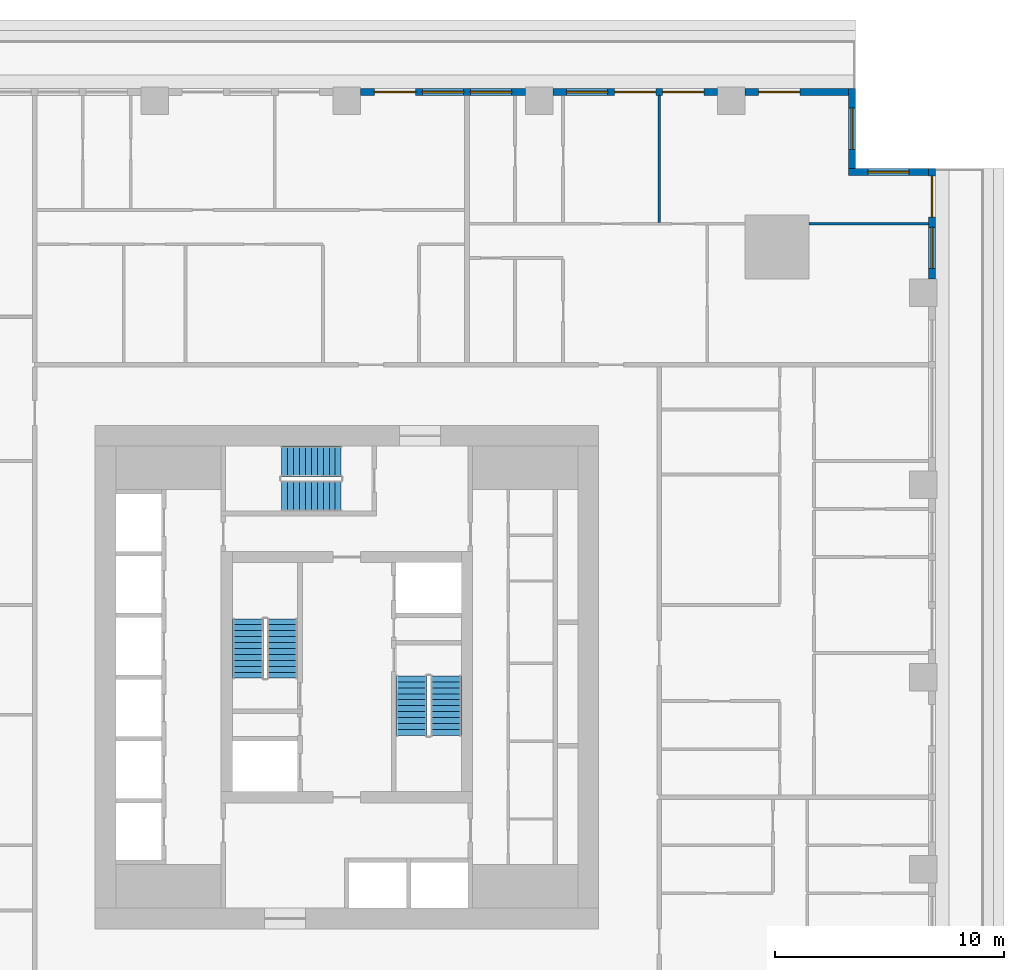
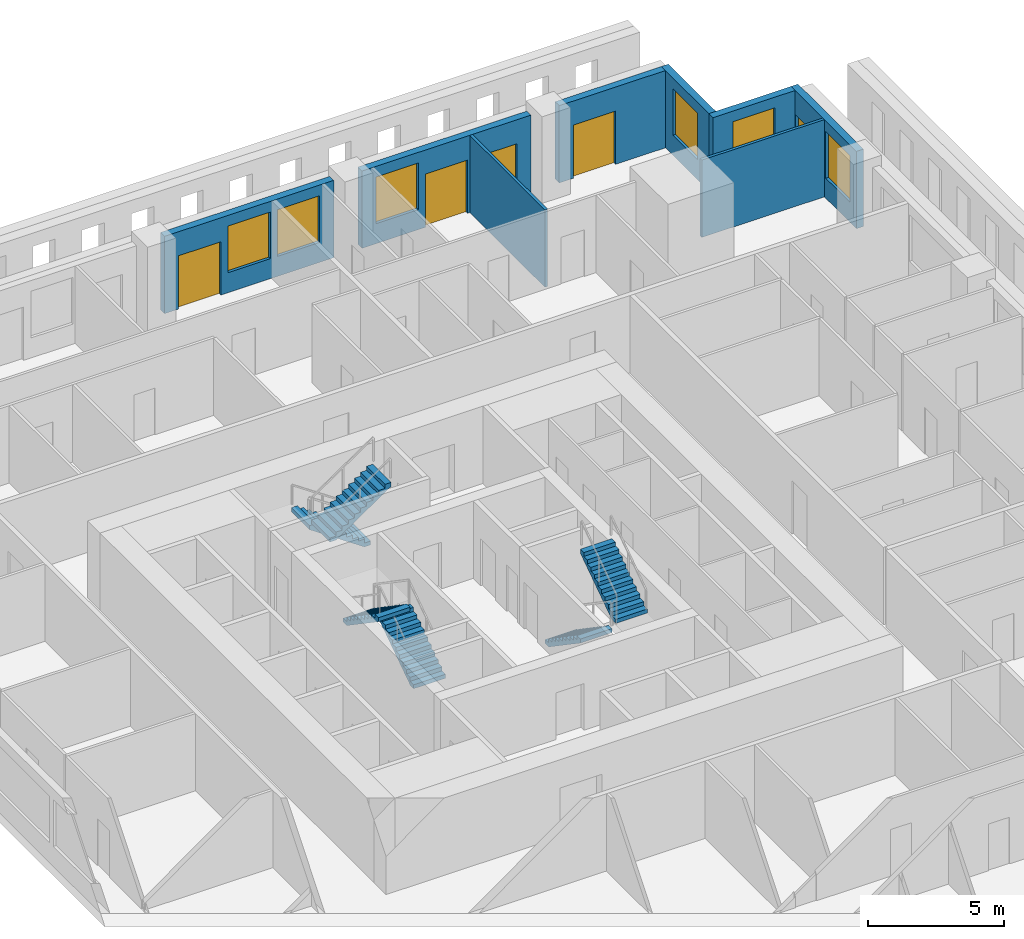
# One storey, part 9 of 14: 8 walls, 6 stair flights, 6 windows, 5 doors, 11 openings, 3 elements without a shape of their own.
"""IFC4 building model written with IfcOpenShell, lengths in metres."""

from ifc_helpers import new_model, si_unit, direction, frame, frame_2d, origin, place, context, subcontext, project, spatial, polyline, rectangle, outline, extrude, material, layer, layer_set, type_object, element, fill, aggregate, save


model = new_model("IFC4")

# Units and contexts
model_context = context("Model", 3, precision=1e-05, world=origin(), true_north=direction((0.0, 1.0)))
body_context = subcontext(model_context, "Body", "Model", "MODEL_VIEW")
ifc_project = project(units=[si_unit("LENGTHUNIT", "METRE"), si_unit("AREAUNIT", "SQUARE_METRE"), si_unit("VOLUMEUNIT", "CUBIC_METRE"), si_unit("PLANEANGLEUNIT", "RADIAN"), si_unit("MASSUNIT", "GRAM", prefix="KILO")], contexts=[model_context])

# Site, building, storey
site_placement = place(None, origin())
site = spatial("IfcSite", under=ifc_project, at=site_placement, CompositionType="ELEMENT")
building_placement = place(site_placement, origin())
building = spatial("IfcBuilding", under=site, at=building_placement, Name="Khepri Terraces", CompositionType="ELEMENT")
storey_placement = place(building_placement, frame((0.0, 0.0, 106.5)))
storey = spatial("IfcBuildingStorey", under=building, at=storey_placement, Name="L25", CompositionType="ELEMENT", Elevation=106.5)

# Wall, openings, door, window
ifc_material_1 = material(Name="Precast concrete C50/60 warm stone", Category="masonry")
ifc_layer_1 = layer(ifc_material_1, 0.300048828125, Name="Precast concrete C50/60 warm stone", Category="masonry")
ifc_layer_set_1 = layer_set([ifc_layer_1], Name="Precast concrete C50/60 warm stone")
wall_type_1 = type_object("IfcWallType", Name="WL-EXT-PRECAST-300", PredefinedType="STANDARD", material=ifc_layer_set_1)
wall_1_placement = place(storey_placement, frame((25.570068359375, 17.39990234375, 0.0), z_axis=(0.0, 0.0, 1.0), x_axis=(0.0, 1.0, 0.0)))
wall_1 = element("IfcWall", 1, at=wall_1_placement, inside=storey, type_object=wall_type_1, Name="External wall L25 E", PredefinedType="STANDARD", context=body_context, shape_type="SweptSolid", body=[
    extrude(rectangle(XDim=4.820068359375, YDim=0.300048828125, at=frame_2d((2.41015625, 0.0))), origin(), (0.0, 0.0, 1.0), 3.47998046875),
])
opening_1_placement = place(wall_1_placement, frame((2.699951171875, 0.0, 0.0)))
opening_1 = element("IfcOpeningElement", 2, at=opening_1_placement, cuts=wall_1, Name="Opening ED-L25-06", PredefinedType="OPENING", context=body_context, shape_type="SweptSolid", body=[
    extrude(rectangle(XDim=1.800048828125, YDim=2.39990234375, at=frame_2d((0.89990234375, 1.199951171875))), frame((0.0, 0.16015625, 0.0), z_axis=(0.0, -1.0, 0.0), x_axis=(1.0, 0.0, 0.0)), (0.0, 0.0, 1.0), 0.320068359375),
])
opening_2_placement = place(wall_1_placement, frame((0.4599609375, 0.0, 0.89990234375)))
opening_2 = element("IfcOpeningElement", 3, at=opening_2_placement, cuts=wall_1, Name="Opening W1", PredefinedType="OPENING", context=body_context, shape_type="SweptSolid", body=[
    extrude(rectangle(XDim=1.800048828125, YDim=2.10009765625, at=frame_2d((0.89990234375, 1.050048828125))), frame((0.0, 0.16015625, 0.0), z_axis=(0.0, -1.0, 0.0), x_axis=(1.0, 0.0, 0.0)), (0.0, 0.0, 1.0), 0.320068359375),
])
ifc_material_2 = material(Name="Anodised aluminium bronze glazed door", Category="aluminium")
door_type = type_object("IfcDoorType", Name="DR-BAL-SLIDE-1800x2400", OperationType="NOTDEFINED", PredefinedType="DOOR", material=ifc_material_2)
door_1_placement = place(opening_1_placement, origin())
door_1 = element("IfcDoor", 4, at=door_1_placement, inside=storey, type_object=door_type, Name="Balcony door L25 E", OperationType="SLIDING_TO_LEFT", OverallHeight=2.39990234375, OverallWidth=1.800048828125, PredefinedType="DOOR", context=body_context, shape_type="SweptSolid", body=[
    extrude(rectangle(XDim=1.800048828125, YDim=2.39990234375, at=frame_2d((0.89990234375, 1.199951171875))), frame((0.0, 0.02490234375, 0.0), z_axis=(0.0, -1.0, 0.0), x_axis=(1.0, 0.0, 0.0)), (0.0, 0.0, 1.0), 0.050048828125),
])
fill(opening_1, door_1)
ifc_material_3 = material(Name="Clear glass", Category="glass")
window_type = type_object("IfcWindowType", Name="WIN-RES-1800x2100", PartitioningType="SINGLE_PANEL", PredefinedType="WINDOW", material=ifc_material_3)
window_1_placement = place(opening_2_placement, origin())
window_1 = element("IfcWindow", 5, at=window_1_placement, inside=storey, type_object=window_type, Name="Window L25 E", OverallHeight=2.10009765625, OverallWidth=1.800048828125, PartitioningType="SINGLE_PANEL", PredefinedType="WINDOW", context=body_context, shape_type="SweptSolid", body=[
    extrude(rectangle(XDim=1.800048828125, YDim=2.10009765625, at=frame_2d((0.89990234375, 1.050048828125))), frame((0.0, 0.030029296875, 0.0), z_axis=(0.0, -1.0, 0.0), x_axis=(1.0, 0.0, 0.0)), (0.0, 0.0, 1.0), 0.06005859375),
])
fill(opening_2, window_1)

# Wall, opening, window
wall_2_placement = place(storey_placement, frame((25.419921875, 22.070068359375, 0.0), z_axis=(0.0, 0.0, 1.0), x_axis=(-1.0, 0.0, 0.0)))
wall_2 = element("IfcWall", 6, at=wall_2_placement, inside=storey, type_object=wall_type_1, Name="External wall L25 N", PredefinedType="STANDARD", context=body_context, shape_type="SweptSolid", body=[
    extrude(rectangle(XDim=3.5, YDim=0.300048828125, at=frame_2d((1.75, 0.0))), origin(), (0.0, 0.0, 1.0), 3.47998046875),
])
opening_3_placement = place(wall_2_placement, frame((0.85009765625, 0.0, 0.89990234375)))
opening_3 = element("IfcOpeningElement", 7, at=opening_3_placement, cuts=wall_2, Name="Opening W1", PredefinedType="OPENING", context=body_context, shape_type="SweptSolid", body=[
    extrude(rectangle(XDim=1.800048828125, YDim=2.10009765625, at=frame_2d((0.89990234375, 1.050048828125))), frame((0.0, 0.16015625, 0.0), z_axis=(0.0, -1.0, 0.0), x_axis=(1.0, 0.0, 0.0)), (0.0, 0.0, 1.0), 0.320068359375),
])
window_2_placement = place(opening_3_placement, origin())
window_2 = element("IfcWindow", 8, at=window_2_placement, inside=storey, type_object=window_type, Name="Window L25 N", OverallHeight=2.10009765625, OverallWidth=1.800048828125, PartitioningType="SINGLE_PANEL", PredefinedType="WINDOW", context=body_context, shape_type="SweptSolid", body=[
    extrude(rectangle(XDim=1.800048828125, YDim=2.10009765625, at=frame_2d((0.89990234375, 1.050048828125))), frame((0.0, 0.030029296875, 0.0), z_axis=(0.0, -1.0, 0.0), x_axis=(1.0, 0.0, 0.0)), (0.0, 0.0, 1.0), 0.06005859375),
])
fill(opening_3, window_2)

wall_3_placement = place(storey_placement, frame((22.070068359375, 22.219970703125, 0.0), z_axis=(0.0, 0.0, 1.0), x_axis=(0.0, 1.0, 0.0)))
wall_3 = element("IfcWall", 9, at=wall_3_placement, inside=storey, type_object=wall_type_1, Name="External wall L25 E", PredefinedType="STANDARD", context=body_context, shape_type="SweptSolid", body=[
    extrude(rectangle(XDim=3.5, YDim=0.300048828125, at=frame_2d((1.75, 0.0))), origin(), (0.0, 0.0, 1.0), 3.47998046875),
])
opening_4_placement = place(wall_3_placement, frame((0.85009765625, 0.0, 0.89990234375)))
opening_4 = element("IfcOpeningElement", 10, at=opening_4_placement, cuts=wall_3, Name="Opening W1", PredefinedType="OPENING", context=body_context, shape_type="SweptSolid", body=[
    extrude(rectangle(XDim=1.800048828125, YDim=2.10009765625, at=frame_2d((0.89990234375, 1.050048828125))), frame((0.0, 0.16015625, 0.0), z_axis=(0.0, -1.0, 0.0), x_axis=(1.0, 0.0, 0.0)), (0.0, 0.0, 1.0), 0.320068359375),
])
window_3_placement = place(opening_4_placement, origin())
window_3 = element("IfcWindow", 11, at=window_3_placement, inside=storey, type_object=window_type, Name="Window L25 E", OverallHeight=2.10009765625, OverallWidth=1.800048828125, PartitioningType="SINGLE_PANEL", PredefinedType="WINDOW", context=body_context, shape_type="SweptSolid", body=[
    extrude(rectangle(XDim=1.800048828125, YDim=2.10009765625, at=frame_2d((0.89990234375, 1.050048828125))), frame((0.0, 0.030029296875, 0.0), z_axis=(0.0, -1.0, 0.0), x_axis=(1.0, 0.0, 0.0)), (0.0, 0.0, 1.0), 0.06005859375),
])
fill(opening_4, window_3)

# Wall, opening, door
wall_4_placement = place(storey_placement, frame((21.919921875, 25.570068359375, 0.0), z_axis=(0.0, 0.0, 1.0), x_axis=(-1.0, 0.0, 0.0)))
wall_4 = element("IfcWall", 12, at=wall_4_placement, inside=storey, type_object=wall_type_1, Name="External wall L25 N", PredefinedType="STANDARD", context=body_context, shape_type="SweptSolid", body=[
    extrude(rectangle(XDim=4.52001953125, YDim=0.300048828125, at=frame_2d((2.260009765625, 0.0))), origin(), (0.0, 0.0, 1.0), 3.47998046875),
])
opening_5_placement = place(wall_4_placement, frame((2.1201171875, 0.0, 0.0)))
opening_5 = element("IfcOpeningElement", 13, at=opening_5_placement, cuts=wall_4, Name="Opening ED-L25-07", PredefinedType="OPENING", context=body_context, shape_type="SweptSolid", body=[
    extrude(rectangle(XDim=1.800048828125, YDim=2.39990234375, at=frame_2d((0.89990234375, 1.199951171875))), frame((0.0, 0.16015625, 0.0), z_axis=(0.0, -1.0, 0.0), x_axis=(1.0, 0.0, 0.0)), (0.0, 0.0, 1.0), 0.320068359375),
])
door_2_placement = place(opening_5_placement, origin())
door_2 = element("IfcDoor", 14, at=door_2_placement, inside=storey, type_object=door_type, Name="Balcony door L25 N", OperationType="SLIDING_TO_RIGHT", OverallHeight=2.39990234375, OverallWidth=1.800048828125, PredefinedType="DOOR", context=body_context, shape_type="SweptSolid", body=[
    extrude(rectangle(XDim=1.800048828125, YDim=2.39990234375, at=frame_2d((0.89990234375, 1.199951171875))), frame((0.0, 0.02490234375, 0.0), z_axis=(0.0, -1.0, 0.0), x_axis=(1.0, 0.0, 0.0)), (0.0, 0.0, 1.0), 0.050048828125),
])
fill(opening_5, door_2)

# Wall, openings, doors, window
wall_5_placement = place(storey_placement, frame((16.199951171875, 25.570068359375, 0.0), z_axis=(0.0, 0.0, 1.0), x_axis=(-1.0, 0.0, 0.0)))
wall_5 = element("IfcWall", 15, at=wall_5_placement, inside=storey, type_object=wall_type_1, Name="External wall L25 N", PredefinedType="STANDARD", context=body_context, shape_type="SweptSolid", body=[
    extrude(rectangle(XDim=7.199951171875, YDim=0.300048828125, at=frame_2d((3.60009765625, 0.0))), origin(), (0.0, 0.0, 1.0), 3.47998046875),
])
opening_6_placement = place(wall_5_placement, frame((0.60009765625, 0.0, 0.0)))
opening_6 = element("IfcOpeningElement", 16, at=opening_6_placement, cuts=wall_5, Name="Opening ED-L25-08", PredefinedType="OPENING", context=body_context, shape_type="SweptSolid", body=[
    extrude(rectangle(XDim=1.800048828125, YDim=2.39990234375, at=frame_2d((0.89990234375, 1.199951171875))), frame((0.0, 0.16015625, 0.0), z_axis=(0.0, -1.0, 0.0), x_axis=(1.0, 0.0, 0.0)), (0.0, 0.0, 1.0), 0.320068359375),
])
opening_7_placement = place(wall_5_placement, frame((2.699951171875, 0.0, 0.0)))
opening_7 = element("IfcOpeningElement", 17, at=opening_7_placement, cuts=wall_5, Name="Opening ED-L25-09", PredefinedType="OPENING", context=body_context, shape_type="SweptSolid", body=[
    extrude(rectangle(XDim=1.800048828125, YDim=2.39990234375, at=frame_2d((0.89990234375, 1.199951171875))), frame((0.0, 0.16015625, 0.0), z_axis=(0.0, -1.0, 0.0), x_axis=(1.0, 0.0, 0.0)), (0.0, 0.0, 1.0), 0.320068359375),
])
opening_8_placement = place(wall_5_placement, frame((4.800048828125, 0.0, 0.89990234375)))
opening_8 = element("IfcOpeningElement", 18, at=opening_8_placement, cuts=wall_5, Name="Opening W1", PredefinedType="OPENING", context=body_context, shape_type="SweptSolid", body=[
    extrude(rectangle(XDim=1.800048828125, YDim=2.10009765625, at=frame_2d((0.89990234375, 1.050048828125))), frame((0.0, 0.16015625, 0.0), z_axis=(0.0, -1.0, 0.0), x_axis=(1.0, 0.0, 0.0)), (0.0, 0.0, 1.0), 0.320068359375),
])
door_3_placement = place(opening_6_placement, origin())
door_3 = element("IfcDoor", 19, at=door_3_placement, inside=storey, type_object=door_type, Name="Balcony door L25 N", OperationType="SLIDING_TO_LEFT", OverallHeight=2.39990234375, OverallWidth=1.800048828125, PredefinedType="DOOR", context=body_context, shape_type="SweptSolid", body=[
    extrude(rectangle(XDim=1.800048828125, YDim=2.39990234375, at=frame_2d((0.89990234375, 1.199951171875))), frame((0.0, 0.02490234375, 0.0), z_axis=(0.0, -1.0, 0.0), x_axis=(1.0, 0.0, 0.0)), (0.0, 0.0, 1.0), 0.050048828125),
])
fill(opening_6, door_3)
door_4_placement = place(opening_7_placement, origin())
door_4 = element("IfcDoor", 20, at=door_4_placement, inside=storey, type_object=door_type, Name="Balcony door L25 N", OperationType="SLIDING_TO_RIGHT", OverallHeight=2.39990234375, OverallWidth=1.800048828125, PredefinedType="DOOR", context=body_context, shape_type="SweptSolid", body=[
    extrude(rectangle(XDim=1.800048828125, YDim=2.39990234375, at=frame_2d((0.89990234375, 1.199951171875))), frame((0.0, 0.02490234375, 0.0), z_axis=(0.0, -1.0, 0.0), x_axis=(1.0, 0.0, 0.0)), (0.0, 0.0, 1.0), 0.050048828125),
])
fill(opening_7, door_4)
window_4_placement = place(opening_8_placement, origin())
window_4 = element("IfcWindow", 21, at=window_4_placement, inside=storey, type_object=window_type, Name="Window L25 N", OverallHeight=2.10009765625, OverallWidth=1.800048828125, PartitioningType="SINGLE_PANEL", PredefinedType="WINDOW", context=body_context, shape_type="SweptSolid", body=[
    extrude(rectangle(XDim=1.800048828125, YDim=2.10009765625, at=frame_2d((0.89990234375, 1.050048828125))), frame((0.0, 0.030029296875, 0.0), z_axis=(0.0, -1.0, 0.0), x_axis=(1.0, 0.0, 0.0)), (0.0, 0.0, 1.0), 0.06005859375),
])
fill(opening_8, window_4)

# Wall, openings, door, windows
wall_6_placement = place(storey_placement, frame((7.800048828125, 25.570068359375, 0.0), z_axis=(0.0, 0.0, 1.0), x_axis=(-1.0, 0.0, 0.0)))
wall_6 = element("IfcWall", 22, at=wall_6_placement, inside=storey, type_object=wall_type_1, Name="External wall L25 N", PredefinedType="STANDARD", context=body_context, shape_type="SweptSolid", body=[
    extrude(rectangle(XDim=7.199951171875, YDim=0.300048828125, at=frame_2d((3.60009765625, 0.0))), origin(), (0.0, 0.0, 1.0), 3.47998046875),
])
opening_9_placement = place(wall_6_placement, frame((0.60009765625, 0.0, 0.89990234375)))
opening_9 = element("IfcOpeningElement", 23, at=opening_9_placement, cuts=wall_6, Name="Opening W1", PredefinedType="OPENING", context=body_context, shape_type="SweptSolid", body=[
    extrude(rectangle(XDim=1.800048828125, YDim=2.10009765625, at=frame_2d((0.89990234375, 1.050048828125))), frame((0.0, 0.16015625, 0.0), z_axis=(0.0, -1.0, 0.0), x_axis=(1.0, 0.0, 0.0)), (0.0, 0.0, 1.0), 0.320068359375),
])
opening_10_placement = place(wall_6_placement, frame((2.699951171875, 0.0, 0.89990234375)))
opening_10 = element("IfcOpeningElement", 24, at=opening_10_placement, cuts=wall_6, Name="Opening W1", PredefinedType="OPENING", context=body_context, shape_type="SweptSolid", body=[
    extrude(rectangle(XDim=1.800048828125, YDim=2.10009765625, at=frame_2d((0.89990234375, 1.050048828125))), frame((0.0, 0.16015625, 0.0), z_axis=(0.0, -1.0, 0.0), x_axis=(1.0, 0.0, 0.0)), (0.0, 0.0, 1.0), 0.320068359375),
])
opening_11_placement = place(wall_6_placement, frame((4.800048828125, 0.0, 0.0)))
opening_11 = element("IfcOpeningElement", 25, at=opening_11_placement, cuts=wall_6, Name="Opening ED-L25-10", PredefinedType="OPENING", context=body_context, shape_type="SweptSolid", body=[
    extrude(rectangle(XDim=1.800048828125, YDim=2.39990234375, at=frame_2d((0.89990234375, 1.199951171875))), frame((0.0, 0.16015625, 0.0), z_axis=(0.0, -1.0, 0.0), x_axis=(1.0, 0.0, 0.0)), (0.0, 0.0, 1.0), 0.320068359375),
])
door_5_placement = place(opening_11_placement, origin())
door_5 = element("IfcDoor", 26, at=door_5_placement, inside=storey, type_object=door_type, Name="Balcony door L25 N", OperationType="SLIDING_TO_RIGHT", OverallHeight=2.39990234375, OverallWidth=1.800048828125, PredefinedType="DOOR", context=body_context, shape_type="SweptSolid", body=[
    extrude(rectangle(XDim=1.800048828125, YDim=2.39990234375, at=frame_2d((0.89990234375, 1.199951171875))), frame((0.0, 0.02490234375, 0.0), z_axis=(0.0, -1.0, 0.0), x_axis=(1.0, 0.0, 0.0)), (0.0, 0.0, 1.0), 0.050048828125),
])
fill(opening_11, door_5)
window_5_placement = place(opening_9_placement, origin())
window_5 = element("IfcWindow", 27, at=window_5_placement, inside=storey, type_object=window_type, Name="Window L25 N", OverallHeight=2.10009765625, OverallWidth=1.800048828125, PartitioningType="SINGLE_PANEL", PredefinedType="WINDOW", context=body_context, shape_type="SweptSolid", body=[
    extrude(rectangle(XDim=1.800048828125, YDim=2.10009765625, at=frame_2d((0.89990234375, 1.050048828125))), frame((0.0, 0.030029296875, 0.0), z_axis=(0.0, -1.0, 0.0), x_axis=(1.0, 0.0, 0.0)), (0.0, 0.0, 1.0), 0.06005859375),
])
fill(opening_9, window_5)
window_6_placement = place(opening_10_placement, origin())
window_6 = element("IfcWindow", 28, at=window_6_placement, inside=storey, type_object=window_type, Name="Window L25 N", OverallHeight=2.10009765625, OverallWidth=1.800048828125, PartitioningType="SINGLE_PANEL", PredefinedType="WINDOW", context=body_context, shape_type="SweptSolid", body=[
    extrude(rectangle(XDim=1.800048828125, YDim=2.10009765625, at=frame_2d((0.89990234375, 1.050048828125))), frame((0.0, 0.030029296875, 0.0), z_axis=(0.0, -1.0, 0.0), x_axis=(1.0, 0.0, 0.0)), (0.0, 0.0, 1.0), 0.06005859375),
])
fill(opening_10, window_6)

# Walls
ifc_material_4 = material(Name="Gypsum plasterboard partition")
ifc_layer_2 = layer(ifc_material_4, 0.1201171875, Name="Gypsum plasterboard partition")
ifc_layer_set_2 = layer_set([ifc_layer_2], Name="Gypsum plasterboard partition")
wall_type_2 = type_object("IfcWallType", Name="WL-PART-120", PredefinedType="PARTITIONING", material=ifc_layer_set_2)
wall_7_placement = place(storey_placement, frame((20.199951171875, 19.820068359375, 0.0), z_axis=(0.0, 0.0, 1.0), x_axis=(1.0, 0.0, 0.0)))
element("IfcWall", 29, at=wall_7_placement, inside=storey, type_object=wall_type_2, Name="Partition P-085 L25", PredefinedType="PARTITIONING", context=body_context, shape_type="SweptSolid", body=[
    extrude(rectangle(XDim=5.219970703125, YDim=0.1201171875, at=frame_2d((2.60986328125, 0.0))), origin(), (0.0, 0.0, 1.0), 3.47998046875),
])
wall_8_placement = place(storey_placement, frame((13.64990234375, 19.8798828125, 0.0), z_axis=(0.0, 0.0, 1.0), x_axis=(0.0, 1.0, 0.0)))
element("IfcWall", 30, at=wall_8_placement, inside=storey, type_object=wall_type_2, Name="Partition P-088 L25", PredefinedType="PARTITIONING", context=body_context, shape_type="SweptSolid", body=[
    extrude(rectangle(XDim=5.5400390625, YDim=0.1201171875, at=frame_2d((2.77001953125, 0.0))), origin(), (0.0, 0.0, 1.0), 3.47998046875),
])

# Stair, stair flights
ifc_material_5 = material(Name="Concrete C40/50", Category="concrete")
stair_type = type_object("IfcStairType", Name="STAIR-RC-22R", PredefinedType="HALF_TURN_STAIR", material=ifc_material_5)
stair_1_placement = place(storey_placement, origin())
stair_1 = element("IfcStair", 31, at=stair_1_placement, inside=storey, type_object=stair_type, Name="L25 Exit Stair ST-1", PredefinedType="HALF_TURN_STAIR")
stair_flight_type = type_object("IfcStairFlightType", Name="SFL-RC-177.3", PredefinedType="STRAIGHT", material=ifc_material_5)
stair_flight_1_placement = place(storey_placement, frame((-2.824951171875, -0.050048828125, 0.0), z_axis=(0.0, 0.0, 1.0), x_axis=(0.0, 1.0, 0.0)))
stair_flight_1 = element("IfcStairFlight", 32, at=stair_flight_1_placement, type_object=stair_flight_type, Name="ST-1 flight 1", NumberOfRisers=11, NumberOfTreads=10, PredefinedType="STRAIGHT", RiserHeight=0.177272727, TreadLength=0.26, context=body_context, shape_type="SweptSolid", body=[
    extrude(outline(polyline([(0.0, 0.0), (0.0, 0.17724609375), (0.260009765625, 0.17724609375), (0.260009765625, 0.3544921875), (0.52001953125, 0.3544921875), (0.52001953125, 0.53173828125), (0.780029296875, 0.53173828125), (0.780029296875, 0.708984375), (1.0400390625, 0.708984375), (1.0400390625, 0.886474609375), (1.300048828125, 0.886474609375), (1.300048828125, 1.063720703125), (1.56005859375, 1.063720703125), (1.56005859375, 1.240966796875), (1.820068359375, 1.240966796875), (1.820068359375, 1.418212890625), (2.080078125, 1.418212890625), (2.080078125, 1.595458984375), (2.340087890625, 1.595458984375), (2.340087890625, 1.772705078125), (2.60009765625, 1.772705078125), (2.60009765625, 1.949951171875), (2.60009765625, 1.59130859375), (0.26611328125, 0.0), (0.0, 0.0)])), frame((0.0, 0.675048828125, 0.0), z_axis=(0.0, -1.0, 0.0), x_axis=(1.0, 0.0, 0.0)), (0.0, 0.0, 1.0), 1.35009765625),
])
stair_flight_2_placement = place(storey_placement, frame((-4.324951171875, 2.550048828125, 1.949951171875), z_axis=(0.0, 0.0, 1.0), x_axis=(0.0, -1.0, 0.0)))
stair_flight_2 = element("IfcStairFlight", 33, at=stair_flight_2_placement, type_object=stair_flight_type, Name="ST-1 flight 2", NumberOfRisers=11, NumberOfTreads=10, PredefinedType="STRAIGHT", RiserHeight=0.177272727, TreadLength=0.26, context=body_context, shape_type="SweptSolid", body=[
    extrude(outline(polyline([(0.0, 0.0), (0.0, 0.17724609375), (0.260009765625, 0.17724609375), (0.260009765625, 0.3544921875), (0.52001953125, 0.3544921875), (0.52001953125, 0.53173828125), (0.780029296875, 0.53173828125), (0.780029296875, 0.708984375), (1.0400390625, 0.708984375), (1.0400390625, 0.886474609375), (1.300048828125, 0.886474609375), (1.300048828125, 1.063720703125), (1.56005859375, 1.063720703125), (1.56005859375, 1.240966796875), (1.820068359375, 1.240966796875), (1.820068359375, 1.418212890625), (2.080078125, 1.418212890625), (2.080078125, 1.595458984375), (2.340087890625, 1.595458984375), (2.340087890625, 1.772705078125), (2.60009765625, 1.772705078125), (2.60009765625, 1.949951171875), (2.60009765625, 1.59130859375), (0.26611328125, 0.0), (0.0, 0.0)])), frame((0.0, 0.675048828125, 0.0), z_axis=(0.0, -1.0, 0.0), x_axis=(1.0, 0.0, 0.0)), (0.0, 0.0, 1.0), 1.35009765625),
])
aggregate(stair_1, [stair_flight_1, stair_flight_2])

stair_2_placement = place(storey_placement, origin())
stair_2 = element("IfcStair", 34, at=stair_2_placement, inside=storey, type_object=stair_type, Name="L25 Exit Stair ST-2", PredefinedType="HALF_TURN_STAIR")
stair_flight_3_placement = place(storey_placement, frame((2.824951171875, 0.050048828125, 0.0), z_axis=(0.0, 0.0, 1.0), x_axis=(0.0, -1.0, 0.0)))
stair_flight_3 = element("IfcStairFlight", 35, at=stair_flight_3_placement, type_object=stair_flight_type, Name="ST-2 flight 1", NumberOfRisers=11, NumberOfTreads=10, PredefinedType="STRAIGHT", RiserHeight=0.177272727, TreadLength=0.26, context=body_context, shape_type="SweptSolid", body=[
    extrude(outline(polyline([(0.0, 0.0), (0.0, 0.17724609375), (0.260009765625, 0.17724609375), (0.260009765625, 0.3544921875), (0.52001953125, 0.3544921875), (0.52001953125, 0.53173828125), (0.780029296875, 0.53173828125), (0.780029296875, 0.708984375), (1.0400390625, 0.708984375), (1.0400390625, 0.886474609375), (1.300048828125, 0.886474609375), (1.300048828125, 1.063720703125), (1.56005859375, 1.063720703125), (1.56005859375, 1.240966796875), (1.820068359375, 1.240966796875), (1.820068359375, 1.418212890625), (2.080078125, 1.418212890625), (2.080078125, 1.595458984375), (2.340087890625, 1.595458984375), (2.340087890625, 1.772705078125), (2.60009765625, 1.772705078125), (2.60009765625, 1.949951171875), (2.60009765625, 1.59130859375), (0.26611328125, 0.0), (0.0, 0.0)])), frame((0.0, 0.675048828125, 0.0), z_axis=(0.0, -1.0, 0.0), x_axis=(1.0, 0.0, 0.0)), (0.0, 0.0, 1.0), 1.35009765625),
])
stair_flight_4_placement = place(storey_placement, frame((4.324951171875, -2.550048828125, 1.949951171875), z_axis=(0.0, 0.0, 1.0), x_axis=(0.0, 1.0, 0.0)))
stair_flight_4 = element("IfcStairFlight", 36, at=stair_flight_4_placement, type_object=stair_flight_type, Name="ST-2 flight 2", NumberOfRisers=11, NumberOfTreads=10, PredefinedType="STRAIGHT", RiserHeight=0.177272727, TreadLength=0.26, context=body_context, shape_type="SweptSolid", body=[
    extrude(outline(polyline([(0.0, 0.0), (0.0, 0.17724609375), (0.260009765625, 0.17724609375), (0.260009765625, 0.3544921875), (0.52001953125, 0.3544921875), (0.52001953125, 0.53173828125), (0.780029296875, 0.53173828125), (0.780029296875, 0.708984375), (1.0400390625, 0.708984375), (1.0400390625, 0.886474609375), (1.300048828125, 0.886474609375), (1.300048828125, 1.063720703125), (1.56005859375, 1.063720703125), (1.56005859375, 1.240966796875), (1.820068359375, 1.240966796875), (1.820068359375, 1.418212890625), (2.080078125, 1.418212890625), (2.080078125, 1.595458984375), (2.340087890625, 1.595458984375), (2.340087890625, 1.772705078125), (2.60009765625, 1.772705078125), (2.60009765625, 1.949951171875), (2.60009765625, 1.59130859375), (0.26611328125, 0.0), (0.0, 0.0)])), frame((0.0, 0.675048828125, 0.0), z_axis=(0.0, -1.0, 0.0), x_axis=(1.0, 0.0, 0.0)), (0.0, 0.0, 1.0), 1.35009765625),
])
aggregate(stair_2, [stair_flight_3, stair_flight_4])

stair_3_placement = place(storey_placement, origin())
stair_3 = element("IfcStair", 37, at=stair_3_placement, inside=storey, type_object=stair_type, Name="L25 Exit Stair ST-3", PredefinedType="HALF_TURN_STAIR")
stair_flight_5_placement = place(storey_placement, frame((-0.25, 9.425048828125, 0.0), z_axis=(0.0, 0.0, 1.0), x_axis=(-1.0, 0.0, 0.0)))
stair_flight_5 = element("IfcStairFlight", 38, at=stair_flight_5_placement, type_object=stair_flight_type, Name="ST-3 flight 1", NumberOfRisers=11, NumberOfTreads=10, PredefinedType="STRAIGHT", RiserHeight=0.177272727, TreadLength=0.26, context=body_context, shape_type="SweptSolid", body=[
    extrude(outline(polyline([(0.0, 0.0), (0.0, 0.17724609375), (0.260009765625, 0.17724609375), (0.260009765625, 0.3544921875), (0.52001953125, 0.3544921875), (0.52001953125, 0.53173828125), (0.780029296875, 0.53173828125), (0.780029296875, 0.708984375), (1.0400390625, 0.708984375), (1.0400390625, 0.886474609375), (1.300048828125, 0.886474609375), (1.300048828125, 1.063720703125), (1.56005859375, 1.063720703125), (1.56005859375, 1.240966796875), (1.820068359375, 1.240966796875), (1.820068359375, 1.418212890625), (2.080078125, 1.418212890625), (2.080078125, 1.595458984375), (2.340087890625, 1.595458984375), (2.340087890625, 1.772705078125), (2.60009765625, 1.772705078125), (2.60009765625, 1.949951171875), (2.60009765625, 1.59130859375), (0.26611328125, 0.0), (0.0, 0.0)])), frame((0.0, 0.675048828125, 0.0), z_axis=(0.0, -1.0, 0.0), x_axis=(1.0, 0.0, 0.0)), (0.0, 0.0, 1.0), 1.35009765625),
])
stair_flight_6_placement = place(storey_placement, frame((-2.85009765625, 7.925048828125, 1.949951171875), z_axis=(0.0, 0.0, 1.0), x_axis=(1.0, 0.0, 0.0)))
stair_flight_6 = element("IfcStairFlight", 39, at=stair_flight_6_placement, type_object=stair_flight_type, Name="ST-3 flight 2", NumberOfRisers=11, NumberOfTreads=10, PredefinedType="STRAIGHT", RiserHeight=0.177272727, TreadLength=0.26, context=body_context, shape_type="SweptSolid", body=[
    extrude(outline(polyline([(0.0, 0.0), (0.0, 0.17724609375), (0.260009765625, 0.17724609375), (0.260009765625, 0.3544921875), (0.52001953125, 0.3544921875), (0.52001953125, 0.53173828125), (0.780029296875, 0.53173828125), (0.780029296875, 0.708984375), (1.0400390625, 0.708984375), (1.0400390625, 0.886474609375), (1.300048828125, 0.886474609375), (1.300048828125, 1.063720703125), (1.56005859375, 1.063720703125), (1.56005859375, 1.240966796875), (1.820068359375, 1.240966796875), (1.820068359375, 1.418212890625), (2.080078125, 1.418212890625), (2.080078125, 1.595458984375), (2.340087890625, 1.595458984375), (2.340087890625, 1.772705078125), (2.60009765625, 1.772705078125), (2.60009765625, 1.949951171875), (2.60009765625, 1.59130859375), (0.26611328125, 0.0), (0.0, 0.0)])), frame((0.0, 0.675048828125, 0.0), z_axis=(0.0, -1.0, 0.0), x_axis=(1.0, 0.0, 0.0)), (0.0, 0.0, 1.0), 1.35009765625),
])
aggregate(stair_3, [stair_flight_5, stair_flight_6])

save(model, "model.ifc")
